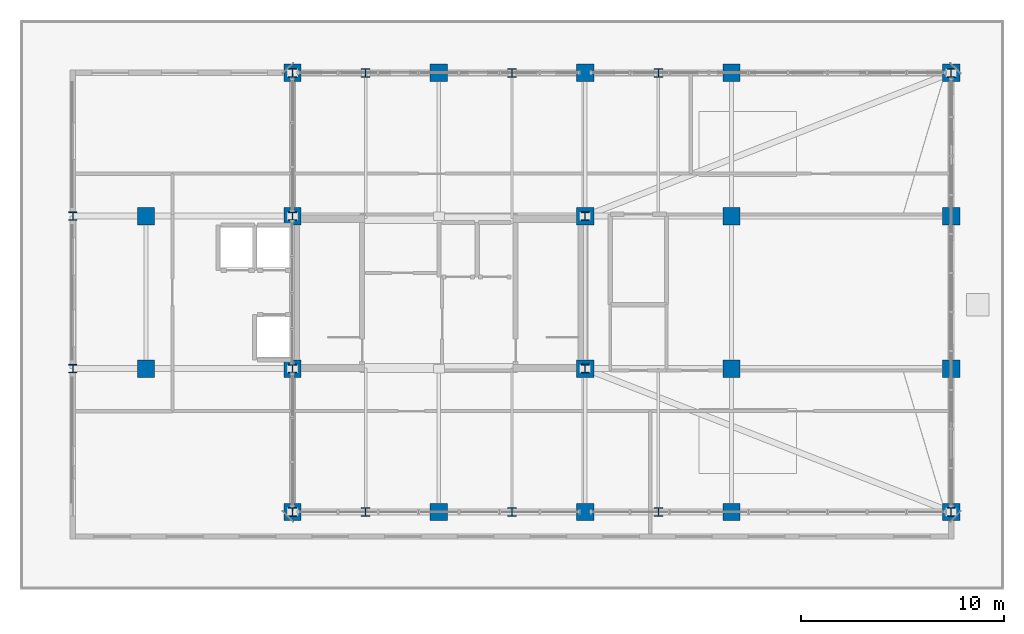
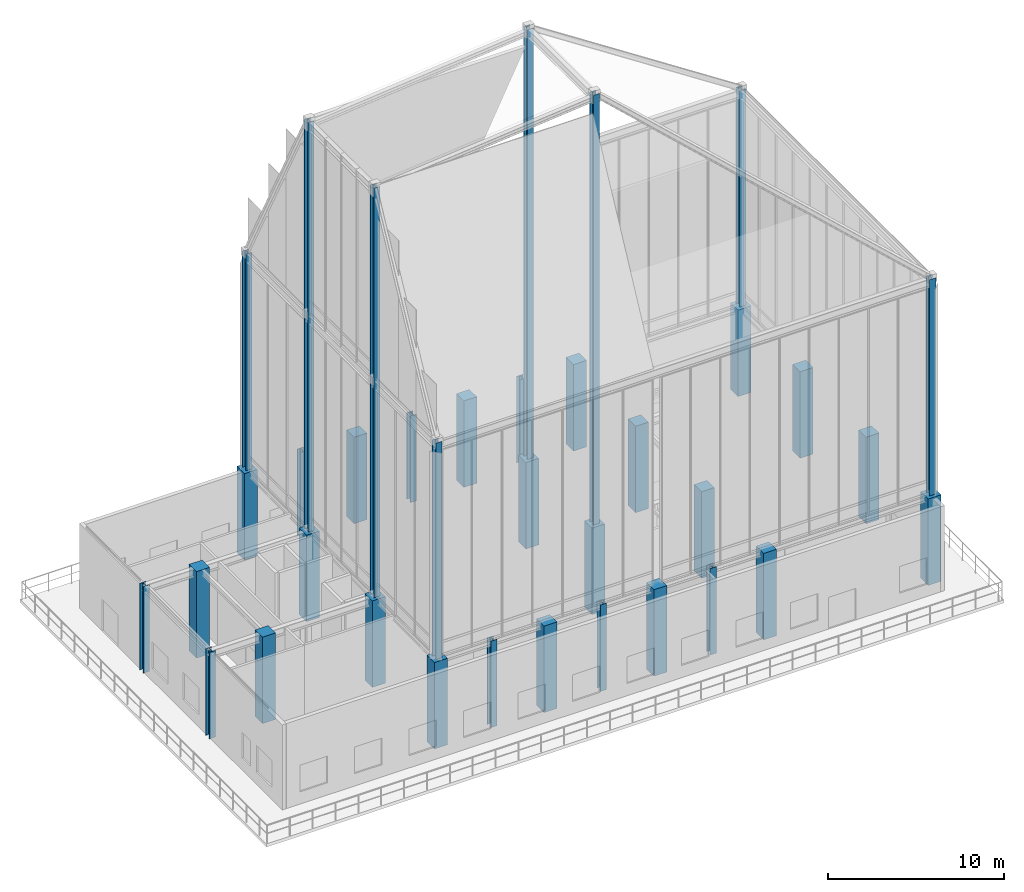
# One storey, part 1 of 49: 36 columns.
"""IFC4 building model written with IfcOpenShell, lengths in metres."""

from ifc_helpers import new_model, si_unit, direction, frame, origin, origin_2d, place, context, subcontext, project, spatial, rectangle, i_section, extrude, source, transform, mapped, material, material_profile, profile_set, type_object, element, save


model = new_model("IFC4")

# Units and contexts
model_context = context("Model", 3, precision=1e-05, world=origin(), true_north=direction((0.0, 1.0)))
body_context = subcontext(model_context, "Body", "Model", "MODEL_VIEW")
ifc_project = project(units=[si_unit("LENGTHUNIT", "METRE"), si_unit("AREAUNIT", "SQUARE_METRE"), si_unit("VOLUMEUNIT", "CUBIC_METRE"), si_unit("PLANEANGLEUNIT", "RADIAN"), si_unit("MASSUNIT", "GRAM", prefix="KILO")], contexts=[model_context])

# Site, building, storey
site_placement = place(None, origin())
site = spatial("IfcSite", under=ifc_project, at=site_placement, CompositionType="ELEMENT")
building_placement = place(site_placement, origin())
building = spatial("IfcBuilding", under=site, at=building_placement, Name="Kaliganga Portal Commons", CompositionType="ELEMENT")
storey_placement = place(building_placement, frame((0.0, 0.0, 298.0)))
storey = spatial("IfcBuildingStorey", under=building, at=storey_placement, Name="L77", CompositionType="ELEMENT", Elevation=298.0)

# Columns
ifc_material_1 = material(Name="Concrete C50/60", Category="concrete")
ifc_material_profile_1 = material_profile(ifc_material_1, rectangle(XDim=0.85009765625, YDim=0.85009765625, at=origin_2d()), Name="RC 850x850")
ifc_profile_set_1 = profile_set([ifc_material_profile_1], Name="Concrete C50/60")
column_type_1 = type_object("IfcColumnType", Name="COL-MEGA-Z5", PredefinedType="COLUMN", material=ifc_profile_set_1)
shared_shape_1 = source(origin(), body_context, "Body", "SweptSolid", [
    extrude(rectangle(XDim=0.85009765625, YDim=0.85009765625, at=origin_2d()), origin(), (0.0, 0.0, 1.0), 6.0),
])
for number, where, z_axis, x_axis, name in (
    (1, (7.199951171875, 28.64990234375, 0.0), (0.0, 0.0, 1.0), (1.0, 0.0, 0.0), "Column MC-06 L77"),
    (2, (7.199951171875, 36.14990234375, 0.0), (0.0, 0.0, 1.0), (1.0, 0.0, 0.0), "Column MC-06 L77"),
    (3, (14.39990234375, 21.60009765625, 0.0), (0.0, 0.0, 1.0), (1.0, 0.0, 0.0), "Column MC-06 L77"),
    (4, (14.39990234375, 28.64990234375, 0.0), (0.0, 0.0, 1.0), (1.0, 0.0, 0.0), "Column MC-06 L77"),
    (5, (14.39990234375, 36.14990234375, 0.0), (0.0, 0.0, 1.0), (1.0, 0.0, 0.0), "Column MC-06 L77"),
    (6, (14.39990234375, 43.199951171875, 0.0), (0.0, 0.0, 1.0), (1.0, 0.0, 0.0), "Column MC-06 L77"),
    (7, (21.60009765625, 21.60009765625, 0.0), (0.0, 0.0, 1.0), (1.0, 0.0, 0.0), "Column MC-06 L77"),
    (8, (21.60009765625, 43.199951171875, 0.0), (0.0, 0.0, 1.0), (1.0, 0.0, 0.0), "Column MC-06 L77"),
    (9, (28.800048828125, 21.60009765625, 0.0), (0.0, 0.0, 1.0), (1.0, 0.0, 0.0), "Column MC-06 L77"),
    (10, (28.800048828125, 28.64990234375, 0.0), (0.0, 0.0, 1.0), (1.0, 0.0, 0.0), "Column MC-06 L77"),
    (11, (28.800048828125, 36.14990234375, 0.0), (0.0, 0.0, 1.0), (1.0, 0.0, 0.0), "Column MC-06 L77"),
    (12, (28.800048828125, 43.199951171875, 0.0), (0.0, 0.0, 1.0), (1.0, 0.0, 0.0), "Column MC-06 L77"),
    (13, (36.0, 21.60009765625, 0.0), (0.0, 0.0, 1.0), (1.0, 0.0, 0.0), "Column MC-06 L77"),
    (14, (36.0, 43.199951171875, 0.0), (0.0, 0.0, 1.0), (1.0, 0.0, 0.0), "Column MC-06 L77"),
    (15, (36.0, 28.64990234375, 0.0), (0.0, 0.0, 1.0), (1.0, 0.0, 0.0), "Column MC-06 L77"),
    (16, (36.0, 36.14990234375, 0.0), (0.0, 0.0, 1.0), (1.0, 0.0, 0.0), "Column MC-06 L77"),
    (17, (46.800048828125, 21.60009765625, 0.0), (0.0, 0.0, 1.0), (1.0, 0.0, 0.0), "Column MC-06 L77"),
    (18, (46.800048828125, 28.64990234375, 0.0), (0.0, 0.0, 1.0), (1.0, 0.0, 0.0), "Column MC-06 L77"),
    (19, (46.800048828125, 36.14990234375, 0.0), (0.0, 0.0, 1.0), (1.0, 0.0, 0.0), "Column MC-06 L77"),
    (20, (46.800048828125, 43.199951171875, 0.0), (0.0, 0.0, 1.0), (1.0, 0.0, 0.0), "Column MC-06 L77"),
):
    element("IfcColumn", number, at=place(storey_placement, frame(where, z_axis=z_axis, x_axis=x_axis)), inside=storey, type_object=column_type_1, Name=name, PredefinedType="COLUMN", context=body_context, shape_type="MappedRepresentation", body=[
        mapped(shared_shape_1, transform((0.0, 0.0, 0.0), x_axis=(1.0, 0.0, 0.0), y_axis=(0.0, 1.0, 0.0), z_axis=(0.0, 0.0, 1.0), scale=1.0)),
    ])
ifc_material_2 = material(Name="Structural steel S460M", Category="steel")
ifc_material_profile_2 = material_profile(ifc_material_2, i_section(OverallWidth=0.406005859375, OverallDepth=0.422119140625, WebThickness=0.022705078125, FlangeThickness=0.030517578125, FilletRadius=0.014892578125, at=origin_2d()), Name="HD 400x382")
ifc_profile_set_2 = profile_set([ifc_material_profile_2], Name="Structural steel S460M wide-flange")
column_type_2 = type_object("IfcColumnType", Name="COL-CROWN-POST", PredefinedType="COLUMN", material=ifc_profile_set_2)
shared_shape_2 = source(origin(), body_context, "Body", "SweptSolid", [
    extrude(i_section(OverallWidth=0.406005859375, OverallDepth=0.422119140625, WebThickness=0.022705078125, FlangeThickness=0.030517578125, FilletRadius=0.014892578125, at=origin_2d()), origin(), (0.0, 0.0, 1.0), 6.0),
])
for number, where, z_axis, x_axis, name in (
    (21, (3.60009765625, 28.64990234375, 0.0), (0.0, 0.0, 1.0), (1.0, 0.0, 0.0), "Column CC-01 L77"),
    (22, (3.60009765625, 36.14990234375, 0.0), (0.0, 0.0, 1.0), (1.0, 0.0, 0.0), "Column CC-01 L77"),
    (23, (18.0, 21.60009765625, 0.0), (0.0, 0.0, 1.0), (1.0, 0.0, 0.0), "Column CC-01 L77"),
    (24, (18.0, 43.199951171875, 0.0), (0.0, 0.0, 1.0), (1.0, 0.0, 0.0), "Column CC-01 L77"),
    (25, (25.199951171875, 21.60009765625, 0.0), (0.0, 0.0, 1.0), (1.0, 0.0, 0.0), "Column CC-01 L77"),
    (26, (25.199951171875, 43.199951171875, 0.0), (0.0, 0.0, 1.0), (1.0, 0.0, 0.0), "Column CC-01 L77"),
    (27, (32.39990234375, 21.60009765625, 0.0), (0.0, 0.0, 1.0), (1.0, 0.0, 0.0), "Column CC-01 L77"),
    (28, (32.39990234375, 43.199951171875, 0.0), (0.0, 0.0, 1.0), (1.0, 0.0, 0.0), "Column CC-01 L77"),
):
    element("IfcColumn", number, at=place(storey_placement, frame(where, z_axis=z_axis, x_axis=x_axis)), inside=storey, type_object=column_type_2, Name=name, PredefinedType="COLUMN", context=body_context, shape_type="MappedRepresentation", body=[
        mapped(shared_shape_2, transform((0.0, 0.0, 0.0), x_axis=(1.0, 0.0, 0.0), y_axis=(0.0, 1.0, 0.0), z_axis=(0.0, 0.0, 1.0), scale=1.0)),
    ])
shared_shape_3 = source(origin(), body_context, "Body", "SweptSolid", [
    extrude(i_section(OverallWidth=0.406005859375, OverallDepth=0.422119140625, WebThickness=0.022705078125, FlangeThickness=0.030517578125, FilletRadius=0.014892578125, at=origin_2d()), origin(), (0.0, 0.0, 1.0), 15.0),
])
for number, where, z_axis, x_axis, name in (
    (29, (14.39990234375, 21.60009765625, 6.0), (0.0, 0.0, 1.0), (1.0, 0.0, 0.0), "Crown Column CC-01 L77"),
    (30, (46.800048828125, 21.60009765625, 6.0), (0.0, 0.0, 1.0), (1.0, 0.0, 0.0), "Crown Column CC-01 L77"),
    (31, (46.800048828125, 43.199951171875, 6.0), (0.0, 0.0, 1.0), (1.0, 0.0, 0.0), "Crown Column CC-01 L77"),
    (32, (14.39990234375, 43.199951171875, 6.0), (0.0, 0.0, 1.0), (1.0, 0.0, 0.0), "Crown Column CC-01 L77"),
):
    element("IfcColumn", number, at=place(storey_placement, frame(where, z_axis=z_axis, x_axis=x_axis)), inside=storey, type_object=column_type_2, Name=name, PredefinedType="COLUMN", context=body_context, shape_type="MappedRepresentation", body=[
        mapped(shared_shape_3, transform((0.0, 0.0, 0.0), x_axis=(1.0, 0.0, 0.0), y_axis=(0.0, 1.0, 0.0), z_axis=(0.0, 0.0, 1.0), scale=1.0)),
    ])
shared_shape_4 = source(origin(), body_context, "Body", "SweptSolid", [
    extrude(i_section(OverallWidth=0.406005859375, OverallDepth=0.422119140625, WebThickness=0.022705078125, FlangeThickness=0.030517578125, FilletRadius=0.014892578125, at=origin_2d()), origin(), (0.0, 0.0, 1.0), 28.409912109375),
])
for number, where, z_axis, x_axis, name in (
    (33, (14.39990234375, 28.64990234375, 6.0), (0.0, 0.0, 1.0), (1.0, 0.0, 0.0), "Crown Column CC-01 L77"),
    (34, (14.39990234375, 36.14990234375, 6.0), (0.0, 0.0, 1.0), (1.0, 0.0, 0.0), "Crown Column CC-01 L77"),
):
    element("IfcColumn", number, at=place(storey_placement, frame(where, z_axis=z_axis, x_axis=x_axis)), inside=storey, type_object=column_type_2, Name=name, PredefinedType="COLUMN", context=body_context, shape_type="MappedRepresentation", body=[
        mapped(shared_shape_4, transform((0.0, 0.0, 0.0), x_axis=(1.0, 0.0, 0.0), y_axis=(0.0, 1.0, 0.0), z_axis=(0.0, 0.0, 1.0), scale=1.0)),
    ])
shared_shape_5 = source(origin(), body_context, "Body", "SweptSolid", [
    extrude(i_section(OverallWidth=0.406005859375, OverallDepth=0.422119140625, WebThickness=0.022705078125, FlangeThickness=0.030517578125, FilletRadius=0.014892578125, at=origin_2d()), origin(), (0.0, 0.0, 1.0), 29.81005859375),
])
for number, where, z_axis, x_axis, name in (
    (35, (28.800048828125, 28.64990234375, 6.0), (0.0, 0.0, 1.0), (1.0, 0.0, 0.0), "Crown Column CC-01 L77"),
    (36, (28.800048828125, 36.14990234375, 6.0), (0.0, 0.0, 1.0), (1.0, 0.0, 0.0), "Crown Column CC-01 L77"),
):
    element("IfcColumn", number, at=place(storey_placement, frame(where, z_axis=z_axis, x_axis=x_axis)), inside=storey, type_object=column_type_2, Name=name, PredefinedType="COLUMN", context=body_context, shape_type="MappedRepresentation", body=[
        mapped(shared_shape_5, transform((0.0, 0.0, 0.0), x_axis=(1.0, 0.0, 0.0), y_axis=(0.0, 1.0, 0.0), z_axis=(0.0, 0.0, 1.0), scale=1.0)),
    ])

save(model, "model.ifc")
